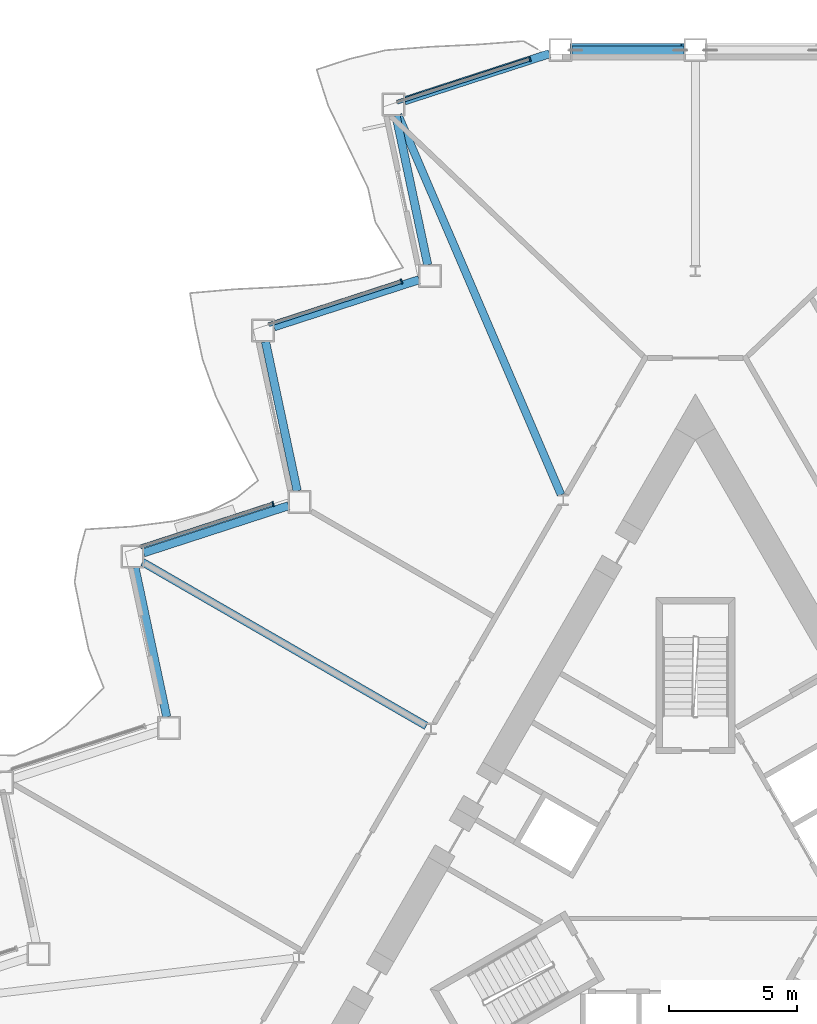
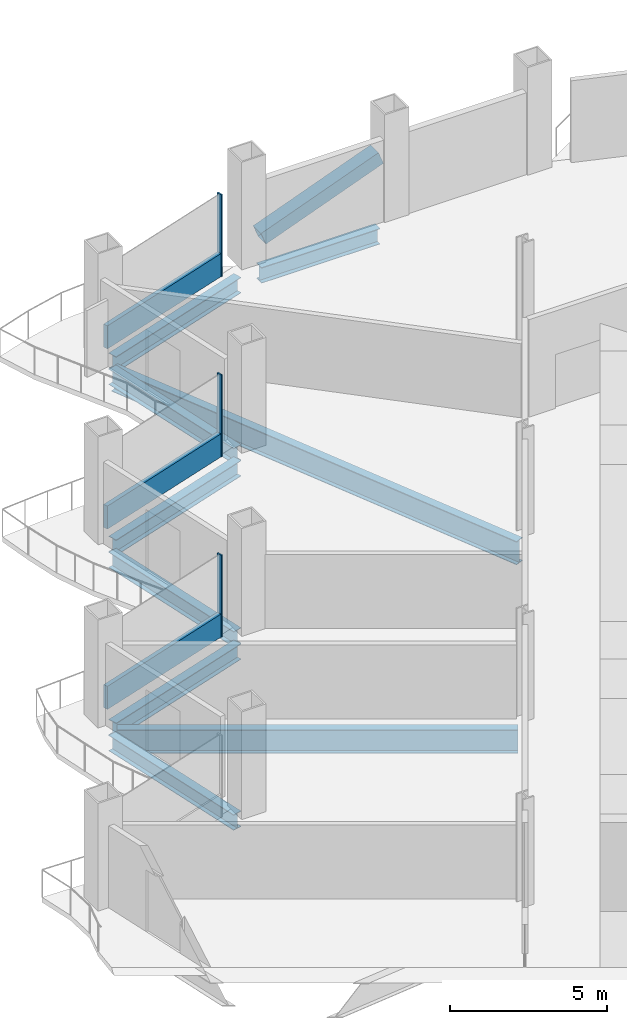
# One storey, part 7 of 21: 9 beams, 7 members, 3 elements without a shape of their own.
"""IFC4 building model written with IfcOpenShell, lengths in metres."""

from ifc_helpers import new_model, si_unit, direction, frame, origin, origin_2d, place, context, subcontext, project, spatial, rectangle, hollow_rectangle, i_section, extrude, material, layer, layer_set, material_profile, profile_set, type_object, element, aggregate, save


model = new_model("IFC4")

# Units and contexts
model_context = context("Model", 3, precision=1e-05, world=origin(), true_north=direction((0.0, 1.0)))
body_context = subcontext(model_context, "Body", "Model", "MODEL_VIEW")
ifc_project = project(units=[si_unit("LENGTHUNIT", "METRE"), si_unit("AREAUNIT", "SQUARE_METRE"), si_unit("VOLUMEUNIT", "CUBIC_METRE"), si_unit("PLANEANGLEUNIT", "RADIAN"), si_unit("MASSUNIT", "GRAM", prefix="KILO")], contexts=[model_context])

# Site, building, storey
site_placement = place(None, origin())
site = spatial("IfcSite", under=ifc_project, at=site_placement, CompositionType="ELEMENT")
building_placement = place(site_placement, origin())
building = spatial("IfcBuilding", under=site, at=building_placement, Name="Cormorant Prow Tower", CompositionType="ELEMENT")
storey_placement = place(building_placement, frame((0.0, 0.0, 112.199951171875)))
storey = spatial("IfcBuildingStorey", under=building, at=storey_placement, Name="L23", CompositionType="ELEMENT", Elevation=112.199951171875)

# Member
ifc_material_1 = material(Name="Structural steel ASTM A500 Gr C", Category="steel")
ifc_material_profile_1 = material_profile(ifc_material_1, hollow_rectangle(XDim=0.508056640625, YDim=0.508056640625, WallThickness=0.014892578125, at=origin_2d()), Name="HSS20x20x5/8")
ifc_profile_set_1 = profile_set([ifc_material_profile_1], Name="Structural steel ASTM A500 Gr C")
member_type_1 = type_object("IfcMemberType", Name="Chamfer brace HSS20x20x5/8", PredefinedType="BRACE", material=ifc_profile_set_1)
member_1_placement = place(storey_placement, frame((-4.8017578125, 32.487060546875, 0.776611328125), z_axis=(0.935582009332, 0.0, 0.353109478511), x_axis=(0.0, 1.0, 0.0)))
element("IfcMember", 1, at=member_1_placement, inside=storey, type_object=member_type_1, Name="Chamfer brace BR1 at N01 L23", PredefinedType="BRACE", context=body_context, shape_type="SweptSolid", body=[
    extrude(hollow_rectangle(XDim=0.508056640625, YDim=0.508056640625, WallThickness=0.014892578125, at=origin_2d()), origin(), (0.0, 0.0, 1.0), 4.63232421875),
])

# Curtain wall, member
ifc_material_2 = material(Name="Aluminium 6063-T6", Category="aluminium")
ifc_layer = layer(ifc_material_2, 0.199951171875)
ifc_layer_set = layer_set([ifc_layer], Name="Aluminium 6063-T6")
curtain_wall_type = type_object("IfcCurtainWallType", Name="Office unitised curtain wall 200", PredefinedType="NOTDEFINED", material=ifc_layer_set)
curtain_wall_1_placement = place(storey_placement, origin())
curtain_wall_1 = element("IfcCurtainWall", 2, at=curtain_wall_1_placement, inside=storey, type_object=curtain_wall_type, Name="Office curtain wall WNW00", PredefinedType="NOTDEFINED")
ifc_material_3 = material(Name="Aluminium 6063-T6", Category="aluminium")
ifc_material_profile_2 = material_profile(ifc_material_3, rectangle(XDim=0.199951171875, YDim=0.06005859375, at=origin_2d()), Name="Office mullion 60x200")
ifc_profile_set_2 = profile_set([ifc_material_profile_2], Name="Aluminium 6063-T6")
member_type_2 = type_object("IfcMemberType", Name="Office mullion 60x200", PredefinedType="MULLION", material=ifc_profile_set_2)
member_2_placement = place(storey_placement, frame((-6.469970703125, 32.1357421875, 0.0), z_axis=(0.0, 0.0, 1.0), x_axis=(0.309017025349, -0.951056506231, 0.0)))
member_2 = element("IfcMember", 3, at=member_2_placement, type_object=member_type_2, Name="Office mullion WNW00", PredefinedType="MULLION", context=body_context, shape_type="SweptSolid", body=[
    extrude(rectangle(XDim=0.199951171875, YDim=0.06005859375, at=origin_2d()), origin(), (0.0, 0.0, 1.0), 3.18896484375),
])

curtain_wall_2_placement = place(storey_placement, origin())
curtain_wall_2 = element("IfcCurtainWall", 4, at=curtain_wall_2_placement, inside=storey, type_object=curtain_wall_type, Name="Office curtain wall WNW02", PredefinedType="NOTDEFINED")
member_3_placement = place(storey_placement, frame((-11.488037109375, 23.444091796875, 0.0), z_axis=(0.0, 0.0, 1.0), x_axis=(0.309017025349, -0.951056506231, 0.0)))
member_3 = element("IfcMember", 5, at=member_3_placement, type_object=member_type_2, Name="Office mullion WNW02", PredefinedType="MULLION", context=body_context, shape_type="SweptSolid", body=[
    extrude(rectangle(XDim=0.199951171875, YDim=0.06005859375, at=origin_2d()), origin(), (0.0, 0.0, 1.0), 3.18896484375),
])

curtain_wall_3_placement = place(storey_placement, origin())
curtain_wall_3 = element("IfcCurtainWall", 6, at=curtain_wall_3_placement, inside=storey, type_object=curtain_wall_type, Name="Office curtain wall WNW04", PredefinedType="NOTDEFINED")
member_4_placement = place(storey_placement, frame((-16.506103515625, 14.752685546875, 0.0), z_axis=(0.0, 0.0, 1.0), x_axis=(0.309017025349, -0.951056506231, 0.0)))
member_4 = element("IfcMember", 7, at=member_4_placement, type_object=member_type_2, Name="Office mullion WNW04", PredefinedType="MULLION", context=body_context, shape_type="SweptSolid", body=[
    extrude(rectangle(XDim=0.199951171875, YDim=0.06005859375, at=origin_2d()), origin(), (0.0, 0.0, 1.0), 3.18896484375),
])

# Member
ifc_material_4 = material(Name="Terracotta", Category="masonry")
ifc_material_profile_3 = material_profile(ifc_material_4, rectangle(XDim=0.159912109375, YDim=0.89990234375, at=origin_2d()), Name="Office terracotta spandrel rail 160x900")
ifc_profile_set_3 = profile_set([ifc_material_profile_3], Name="Terracotta")
member_type_3 = type_object("IfcMemberType", Name="Office terracotta spandrel rail 160x900", PredefinedType="USERDEFINED", material=ifc_profile_set_3)
member_5_placement = place(storey_placement, frame((-6.49853515625, 32.12646484375, 0.449951171875), z_axis=(-0.951056573288, -0.309016818968, 0.0), x_axis=(0.309016818968, -0.951056573288, 0.0)))
member_5 = element("IfcMember", 8, at=member_5_placement, type_object=member_type_3, Name="Office spandrel rail WNW00", ObjectType="TRANSOM", PredefinedType="USERDEFINED", context=body_context, shape_type="SweptSolid", body=[
    extrude(rectangle(XDim=0.159912109375, YDim=0.89990234375, at=origin_2d()), origin(), (0.0, 0.0, 1.0), 5.420654296875),
])

aggregate(curtain_wall_1, [member_2, member_5])

member_6_placement = place(storey_placement, frame((-11.5166015625, 23.434814453125, 0.449951171875), z_axis=(-0.951056573288, -0.309016818968, 0.0), x_axis=(0.309016818968, -0.951056573288, 0.0)))
member_6 = element("IfcMember", 9, at=member_6_placement, type_object=member_type_3, Name="Office spandrel rail WNW02", ObjectType="TRANSOM", PredefinedType="USERDEFINED", context=body_context, shape_type="SweptSolid", body=[
    extrude(rectangle(XDim=0.159912109375, YDim=0.89990234375, at=origin_2d()), origin(), (0.0, 0.0, 1.0), 5.420654296875),
])

aggregate(curtain_wall_2, [member_3, member_6])

member_7_placement = place(storey_placement, frame((-16.53466796875, 14.743408203125, 0.449951171875), z_axis=(-0.951056573288, -0.309016818968, 0.0), x_axis=(0.309016818968, -0.951056573288, 0.0)))
member_7 = element("IfcMember", 10, at=member_7_placement, type_object=member_type_3, Name="Office spandrel rail WNW04", ObjectType="TRANSOM", PredefinedType="USERDEFINED", context=body_context, shape_type="SweptSolid", body=[
    extrude(rectangle(XDim=0.159912109375, YDim=0.89990234375, at=origin_2d()), origin(), (0.0, 0.0, 1.0), 5.420654296875),
])

aggregate(curtain_wall_3, [member_4, member_7])

# Beams
ifc_material_5 = material(Name="Structural steel ASTM A992 Gr 50", Category="steel")
ifc_material_profile_4 = material_profile(ifc_material_5, i_section(OverallWidth=0.3046875, OverallDepth=0.914794921875, WebThickness=0.0166015625, FlangeThickness=0.02587890625, at=origin_2d()), Name="W36x160")
ifc_profile_set_4 = profile_set([ifc_material_profile_4], Name="Structural steel ASTM A992 Gr 50")
beam_type_1 = type_object("IfcBeamType", Name="Radial floor beam W36x160", PredefinedType="BEAM", material=ifc_profile_set_4)
beam_1_placement = place(storey_placement, frame((-5.25, 15.107666015625, -0.857421875), z_axis=(-0.394273140268, 0.918993302948, 0.0), x_axis=(-0.918993302948, -0.394273140268, 0.0)))
element("IfcBeam", 11, at=beam_1_placement, inside=storey, type_object=beam_type_1, Name="Radial floor beam FB1 2 L23", PredefinedType="BEAM", context=body_context, shape_type="SweptSolid", body=[
    extrude(i_section(OverallWidth=0.3046875, OverallDepth=0.914794921875, WebThickness=0.0166015625, FlangeThickness=0.02587890625, at=origin_2d()), origin(), (0.0, 0.0, 1.0), 16.153564453125),
])
beam_2_placement = place(storey_placement, frame((-10.516845703125, 6.07177734375, -0.857421875), z_axis=(-0.866021760006, 0.500006311156, 0.0), x_axis=(-0.500006311156, -0.866021760006, 0.0)))
element("IfcBeam", 12, at=beam_2_placement, inside=storey, type_object=beam_type_1, Name="Radial floor beam FB1 3 L23", PredefinedType="BEAM", context=body_context, shape_type="SweptSolid", body=[
    extrude(i_section(OverallWidth=0.3046875, OverallDepth=0.914794921875, WebThickness=0.0166015625, FlangeThickness=0.02587890625, at=origin_2d()), origin(), (0.0, 0.0, 1.0), 12.805419921875),
])
ifc_material_6 = material(Name="Structural steel ASTM A992 Gr 50", Category="steel")
ifc_material_profile_5 = material_profile(ifc_material_6, i_section(OverallWidth=0.32373046875, OverallDepth=0.611083984375, WebThickness=0.0126953125, FlangeThickness=0.01904296875, at=origin_2d()), Name="W24x104")
ifc_profile_set_5 = profile_set([ifc_material_profile_5], Name="Structural steel ASTM A992 Gr 50")
beam_type_2 = type_object("IfcBeamType", Name="Spandrel beam W24x104", PredefinedType="SPANDREL", material=ifc_profile_set_5)
beam_3_placement = place(storey_placement, frame((-0.449951171875, 32.487060546875, -0.70556640625), z_axis=(-1.0, 0.0, 0.0), x_axis=(0.0, -1.0, 0.0)))
element("IfcBeam", 13, at=beam_3_placement, inside=storey, type_object=beam_type_2, Name="Spandrel beam SB1 N01-WNW00 L23", PredefinedType="SPANDREL", context=body_context, shape_type="SweptSolid", body=[
    extrude(i_section(OverallWidth=0.32373046875, OverallDepth=0.611083984375, WebThickness=0.0126953125, FlangeThickness=0.01904296875, at=origin_2d()), origin(), (0.0, 0.0, 1.0), 4.36962890625),
])
beam_4_placement = place(storey_placement, frame((-5.69775390625, 32.347900390625, -0.70556640625), z_axis=(-0.951055430656, -0.309020335608, 0.0), x_axis=(0.309020335608, -0.951055430656, 0.0)))
element("IfcBeam", 14, at=beam_4_placement, inside=storey, type_object=beam_type_2, Name="Spandrel beam SB1 WNW00-WNW01 L23", PredefinedType="SPANDREL", context=body_context, shape_type="SweptSolid", body=[
    extrude(i_section(OverallWidth=0.32373046875, OverallDepth=0.611083984375, WebThickness=0.0126953125, FlangeThickness=0.01904296875, at=origin_2d()), origin(), (0.0, 0.0, 1.0), 5.96240234375),
])
beam_5_placement = place(storey_placement, frame((-11.702880859375, 29.926025390625, -0.70556640625), z_axis=(0.207920947907, -0.978145633033, 0.0), x_axis=(0.978145633033, 0.207920947907, 0.0)))
element("IfcBeam", 15, at=beam_5_placement, inside=storey, type_object=beam_type_2, Name="Spandrel beam SB1 WNW01-WNW02 L23", PredefinedType="SPANDREL", context=body_context, shape_type="SweptSolid", body=[
    extrude(i_section(OverallWidth=0.32373046875, OverallDepth=0.611083984375, WebThickness=0.0126953125, FlangeThickness=0.01904296875, at=origin_2d()), origin(), (0.0, 0.0, 1.0), 5.962646484375),
])
beam_6_placement = place(storey_placement, frame((-10.797607421875, 23.5146484375, -0.70556640625), z_axis=(-0.95104730696, -0.309045336358, 0.0), x_axis=(0.309045336358, -0.95104730696, 0.0)))
element("IfcBeam", 16, at=beam_6_placement, inside=storey, type_object=beam_type_2, Name="Spandrel beam SB1 WNW02-WNW03 L23", PredefinedType="SPANDREL", context=body_context, shape_type="SweptSolid", body=[
    extrude(i_section(OverallWidth=0.32373046875, OverallDepth=0.611083984375, WebThickness=0.0126953125, FlangeThickness=0.01904296875, at=origin_2d()), origin(), (0.0, 0.0, 1.0), 5.962890625),
])
for number, where, z_axis, x_axis, name in (
    (17, (-16.802734375, 21.0927734375, -0.70556640625), (0.207920947907, -0.978145633033, 0.0), (0.978145633033, 0.207920947907, 0.0), "Spandrel beam SB1 WNW03-WNW04 L23"),
    (18, (-15.8974609375, 14.68115234375, -0.70556640625), (-0.951059340519, -0.309008302174, 0.0), (0.309008302174, -0.951059340519, 0.0), "Spandrel beam SB1 WNW04-WNW05 L23"),
):
    element("IfcBeam", number, at=place(storey_placement, frame(where, z_axis=z_axis, x_axis=x_axis)), inside=storey, type_object=beam_type_2, Name=name, PredefinedType="SPANDREL", context=body_context, shape_type="SweptSolid", body=[
        extrude(i_section(OverallWidth=0.32373046875, OverallDepth=0.611083984375, WebThickness=0.0126953125, FlangeThickness=0.01904296875, at=origin_2d()), origin(), (0.0, 0.0, 1.0), 5.962646484375),
    ])
beam_7_placement = place(storey_placement, frame((-21.90283203125, 12.259521484375, -0.70556640625), z_axis=(0.207912620873, -0.978147403044, 0.0), x_axis=(0.978147403044, 0.207912620873, 0.0)))
element("IfcBeam", 19, at=beam_7_placement, inside=storey, type_object=beam_type_2, Name="Spandrel beam SB1 WNW05-WNW06 L23", PredefinedType="SPANDREL", context=body_context, shape_type="SweptSolid", body=[
    extrude(i_section(OverallWidth=0.32373046875, OverallDepth=0.611083984375, WebThickness=0.0126953125, FlangeThickness=0.01904296875, at=origin_2d()), origin(), (0.0, 0.0, 1.0), 5.962890625),
])

save(model, "model.ifc")
